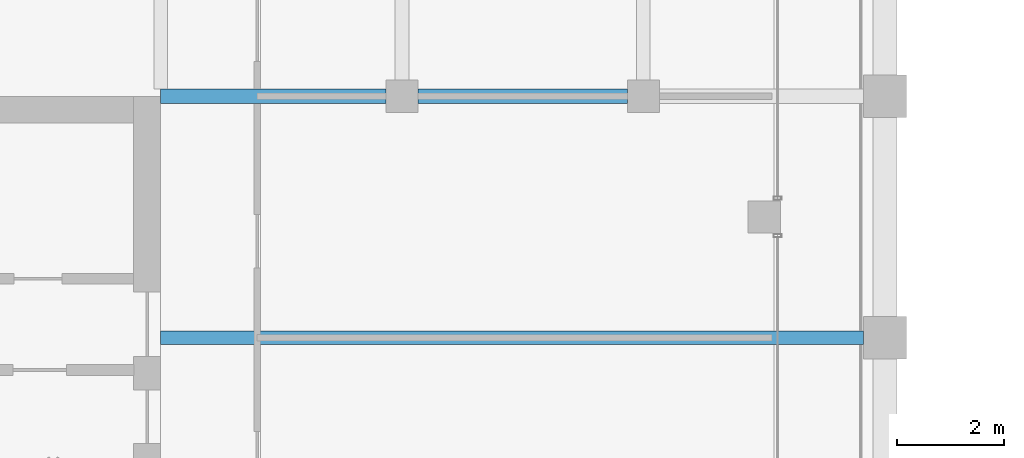
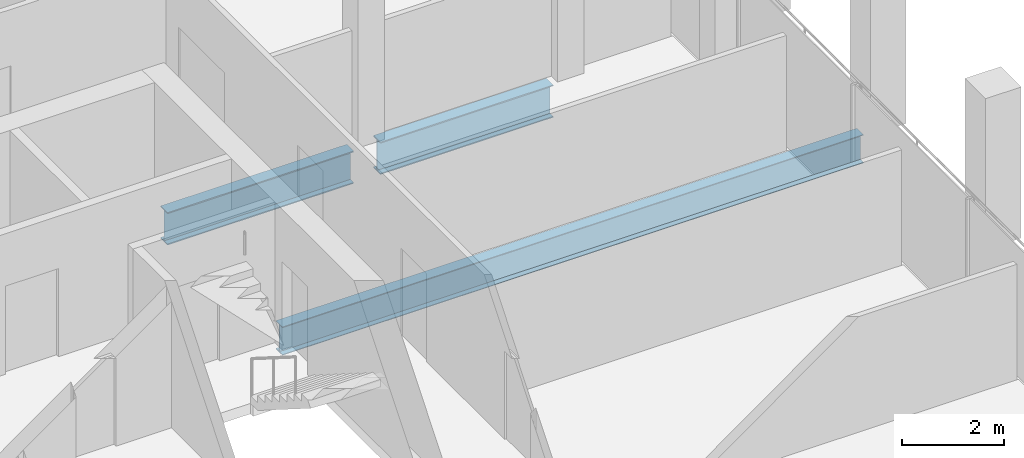
# One storey, part 18 of 41: 3 beams.
"""IFC4 building model written with IfcOpenShell, lengths in metres."""

from ifc_helpers import new_model, si_unit, direction, frame, origin, origin_2d, place, context, subcontext, project, spatial, i_section, extrude, material, material_profile, profile_set, type_object, element, save


model = new_model("IFC4")

# Units and contexts
model_context = context("Model", 3, precision=1e-05, world=origin(), true_north=direction((0.0, 1.0)))
body_context = subcontext(model_context, "Body", "Model", "MODEL_VIEW")
ifc_project = project(units=[si_unit("LENGTHUNIT", "METRE"), si_unit("AREAUNIT", "SQUARE_METRE"), si_unit("VOLUMEUNIT", "CUBIC_METRE"), si_unit("PLANEANGLEUNIT", "RADIAN"), si_unit("MASSUNIT", "GRAM", prefix="KILO")], contexts=[model_context])

# Site, building, storey
site_placement = place(None, origin())
site = spatial("IfcSite", under=ifc_project, at=site_placement, CompositionType="ELEMENT")
building_placement = place(site_placement, origin())
building = spatial("IfcBuilding", under=site, at=building_placement, Name="Altepetl Exchange Towers", CompositionType="ELEMENT")
storey_placement = place(building_placement, frame((0.0, 0.0, 206.39990234375)))
storey = spatial("IfcBuildingStorey", under=building, at=storey_placement, Name="L52", CompositionType="ELEMENT", Elevation=206.39990234375)

# Beams
ifc_material = material(Name="Steel S355", Category="steel")
ifc_material_profile_1 = material_profile(ifc_material, i_section(OverallWidth=0.2529296875, OverallDepth=0.677978515625, WebThickness=0.01171875, FlangeThickness=0.016357421875, at=origin_2d()), Name="W27X84")
ifc_profile_set_1 = profile_set([ifc_material_profile_1], Name="Steel S355")
beam_type_1 = type_object("IfcBeamType", Name="Floor beam W27X84", PredefinedType="BEAM", material=ifc_profile_set_1)
beam_1_placement = place(storey_placement, frame((58.5, 54.0, -0.489013671875), z_axis=(1.0, 0.0, 0.0), x_axis=(0.0, 1.0, 0.0)))
element("IfcBeam", 1, at=beam_1_placement, inside=storey, type_object=beam_type_1, Name="bm:A:L52:011", PredefinedType="BEAM", context=body_context, shape_type="SweptSolid", body=[
    extrude(i_section(OverallWidth=0.2529296875, OverallDepth=0.677978515625, WebThickness=0.01171875, FlangeThickness=0.016357421875, at=origin_2d()), origin(), (0.0, 0.0, 1.0), 13.10009765625),
])
ifc_material_profile_2 = material_profile(ifc_material, i_section(OverallWidth=0.26806640625, OverallDepth=0.77392578125, WebThickness=0.015380859375, FlangeThickness=0.025390625, at=origin_2d()), Name="W30X132")
ifc_profile_set_2 = profile_set([ifc_material_profile_2], Name="Steel S355")
beam_type_2 = type_object("IfcBeamType", Name="Girder W30X132", PredefinedType="BEAM", material=ifc_profile_set_2)
beam_2_placement = place(storey_placement, frame((58.5, 58.5, -0.536865234375), z_axis=(1.0, 0.0, 0.0), x_axis=(0.0, 1.0, 0.0)))
element("IfcBeam", 2, at=beam_2_placement, inside=storey, type_object=beam_type_2, Name="gd:A:L52:000", PredefinedType="BEAM", context=body_context, shape_type="SweptSolid", body=[
    extrude(i_section(OverallWidth=0.26806640625, OverallDepth=0.77392578125, WebThickness=0.015380859375, FlangeThickness=0.025390625, at=origin_2d()), origin(), (0.0, 0.0, 1.0), 4.199951171875),
])
beam_3_placement = place(storey_placement, frame((63.300048828125, 58.5, -0.536865234375), z_axis=(1.0, 0.0, 0.0), x_axis=(0.0, 1.0, 0.0)))
element("IfcBeam", 3, at=beam_3_placement, inside=storey, type_object=beam_type_2, Name="gd:A:L52:001", PredefinedType="BEAM", context=body_context, shape_type="SweptSolid", body=[
    extrude(i_section(OverallWidth=0.26806640625, OverallDepth=0.77392578125, WebThickness=0.015380859375, FlangeThickness=0.025390625, at=origin_2d()), origin(), (0.0, 0.0, 1.0), 3.89990234375),
])

save(model, "model.ifc")
